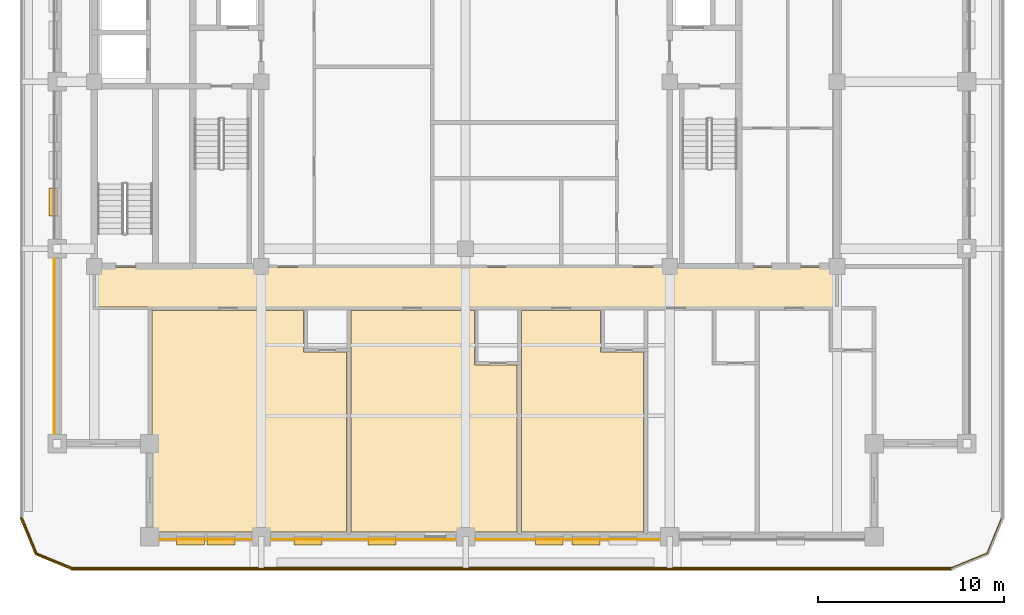
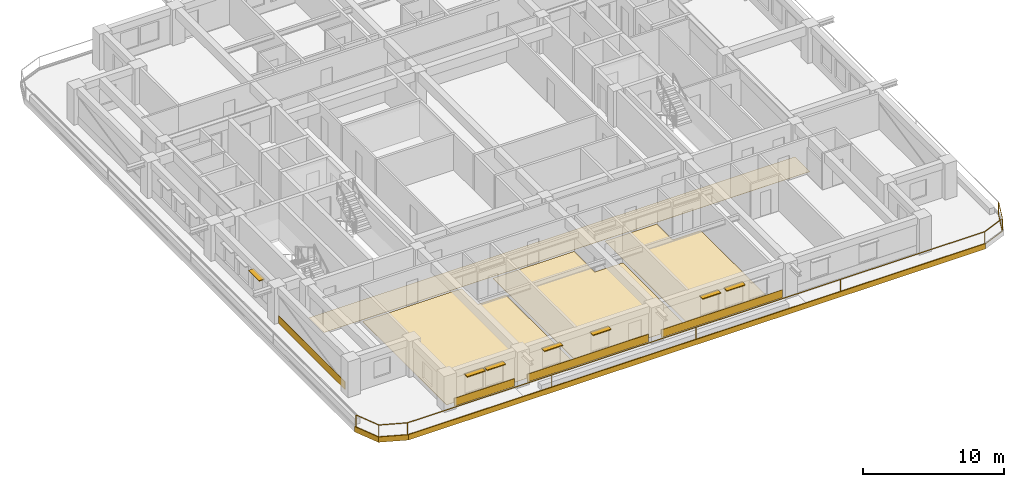
# One storey, part 9 of 15: 11 coverings, 7 shading devices, 1 railing.
"""IFC4 building model written with IfcOpenShell, lengths in metres."""

from ifc_helpers import new_model, si_unit, direction, frame, frame_2d, origin, origin_2d, place, context, subcontext, project, spatial, polyline, rectangle, outline, extrude, material, layer, layer_set, type_object, element, save


model = new_model("IFC4")

# Units and contexts
model_context = context("Model", 3, precision=1e-05, world=origin(), true_north=direction((0.0, 1.0)))
body_context = subcontext(model_context, "Body", "Model", "MODEL_VIEW")
ifc_project = project(units=[si_unit("LENGTHUNIT", "METRE"), si_unit("AREAUNIT", "SQUARE_METRE"), si_unit("VOLUMEUNIT", "CUBIC_METRE"), si_unit("PLANEANGLEUNIT", "RADIAN"), si_unit("MASSUNIT", "GRAM", prefix="KILO")], contexts=[model_context])

# Site, building, storey
site_placement = place(None, origin())
site = spatial("IfcSite", under=ifc_project, at=site_placement, CompositionType="ELEMENT")
building_placement = place(site_placement, origin())
building = spatial("IfcBuilding", under=site, at=building_placement, Name="Zulmaris Gate Convention Tower", CompositionType="ELEMENT")
storey_placement = place(building_placement, frame((0.0, 0.0, 172.85986328125)))
storey = spatial("IfcBuildingStorey", under=building, at=storey_placement, Name="L44", CompositionType="ELEMENT", Elevation=172.85986328125)

# Coverings
ifc_material_1 = material(Name="Precast concrete C40/50", Category="concrete")
ifc_layer_1 = layer(ifc_material_1, 0.0400390625, Name="Precast concrete C40/50")
ifc_layer_set_1 = layer_set([ifc_layer_1], Name="Precast concrete C40/50")
covering_type_1 = type_object("IfcCoveringType", Name="CLAD-SPANDREL-PRECAST", PredefinedType="CLADDING", material=ifc_layer_set_1)
covering_1_placement = place(storey_placement, frame((-16.469970703125, -24.64990234375, 0.0), z_axis=(0.0, 0.0, 1.0), x_axis=(1.0, 0.0, 0.0)))
element("IfcCovering", 1, at=covering_1_placement, inside=storey, type_object=covering_type_1, Name="CLD-L44-S-0_0", PredefinedType="CLADDING", context=body_context, shape_type="SweptSolid", body=[
    extrude(rectangle(XDim=4.93994140625, YDim=0.0400390625, at=frame_2d((2.469970703125, 0.0))), origin(), (0.0, 0.0, 1.0), 0.679931640625),
])
for number, where, z_axis, x_axis, name in (
    (2, (-10.469970703125, -24.64990234375, 0.0), (0.0, 0.0, 1.0), (1.0, 0.0, 0.0), "CLD-L44-S-1_0"),
    (3, (0.530029296875, -24.64990234375, 0.0), (0.0, 0.0, 1.0), (1.0, 0.0, 0.0), "CLD-L44-S-2_0"),
):
    element("IfcCovering", number, at=place(storey_placement, frame(where, z_axis=z_axis, x_axis=x_axis)), inside=storey, type_object=covering_type_1, Name=name, PredefinedType="CLADDING", context=body_context, shape_type="SweptSolid", body=[
        extrude(rectangle(XDim=9.93994140625, YDim=0.0400390625, at=frame_2d((4.969970703125, 0.0))), origin(), (0.0, 0.0, 1.0), 0.679931640625),
    ])
covering_2_placement = place(storey_placement, frame((-22.14990234375, -9.530029296875, 0.0), z_axis=(0.0, 0.0, 1.0), x_axis=(0.0, -1.0, 0.0)))
element("IfcCovering", 4, at=covering_2_placement, inside=storey, type_object=covering_type_1, Name="CLD-L44-W-0_0", PredefinedType="CLADDING", context=body_context, shape_type="SweptSolid", body=[
    extrude(rectangle(XDim=9.43994140625, YDim=0.0400390625, at=frame_2d((4.719970703125, 0.0))), origin(), (0.0, 0.0, 1.0), 0.679931640625),
])
ifc_material_2 = material(Name="White Glazed Architectural Precast Concrete C40/50", Category="concrete")
ifc_layer_2 = layer(ifc_material_2, 0.080078125, Name="White Glazed Architectural Precast Concrete C40/50")
ifc_layer_set_2 = layer_set([ifc_layer_2], Name="White Glazed Architectural Precast Concrete C40/50")
covering_type_2 = type_object("IfcCoveringType", Name="CLAD-TRAY-FASCIA", PredefinedType="CLADDING", material=ifc_layer_set_2)
covering_3_placement = place(storey_placement, frame((-23.962890625, -23.484619140625, -0.2900390625), z_axis=(0.0, 0.0, 1.0), x_axis=(0.382656984709, -0.923890487046, 0.0)))
element("IfcCovering", 5, at=covering_3_placement, inside=storey, type_object=covering_type_2, Name="FSC-L44-TR-00", PredefinedType="CLADDING", context=body_context, shape_type="SweptSolid", body=[
    extrude(rectangle(XDim=2.14306640625, YDim=0.080078125, at=frame_2d((1.071533203125, 0.0))), origin(), (0.0, 0.0, 1.0), 0.4599609375),
])
covering_4_placement = place(storey_placement, frame((-23.16455078125, -25.44287109375, -0.2900390625), z_axis=(0.0, 0.0, 1.0), x_axis=(0.923873803533, -0.382697263049, 0.0)))
element("IfcCovering", 6, at=covering_4_placement, inside=storey, type_object=covering_type_2, Name="FSC-L44-TR-01", PredefinedType="CLADDING", context=body_context, shape_type="SweptSolid", body=[
    extrude(rectangle(XDim=2.142822265625, YDim=0.080078125, at=frame_2d((1.0712890625, 0.0))), origin(), (0.0, 0.0, 1.0), 0.4599609375),
])
covering_5_placement = place(storey_placement, frame((-21.199951171875, -26.260009765625, -0.2900390625), z_axis=(0.0, 0.0, 1.0), x_axis=(1.0, 0.0, 0.0)))
element("IfcCovering", 7, at=covering_5_placement, inside=storey, type_object=covering_type_2, Name="FSC-L44-TR-02", PredefinedType="CLADDING", context=body_context, shape_type="SweptSolid", body=[
    extrude(rectangle(XDim=47.39990234375, YDim=0.080078125, at=frame_2d((23.699951171875, 0.0))), origin(), (0.0, 0.0, 1.0), 0.4599609375),
])
ifc_material_3 = material(Name="Woven Acoustic Wool Carpet Tile")
ifc_layer_3 = layer(ifc_material_3, 0.02001953125, Name="Woven Acoustic Wool Carpet Tile")
ifc_layer_set_3 = layer_set([ifc_layer_3], Name="Woven Acoustic Wool Carpet Tile")
covering_type_3 = type_object("IfcCoveringType", Name="FLR-CARPET-12", PredefinedType="FLOORING", material=ifc_layer_set_3)
covering_6_placement = place(storey_placement, origin())
element("IfcCovering", 8, at=covering_6_placement, inside=storey, type_object=covering_type_3, Name="FLR-L44-R32", PredefinedType="FLOORING", context=body_context, shape_type="SweptSolid", body=[
    extrude(outline(polyline([(-19.93994140625, -12.139892578125), (19.93994140625, -12.139892578125), (19.93994140625, -10.010009765625), (-19.93994140625, -10.010009765625), (-19.93994140625, -12.139892578125)])), origin(), (0.0, 0.0, 1.0), 0.02001953125),
])
ifc_material_4 = material(Name="Engineered Teak Parquet Flooring")
ifc_layer_4 = layer(ifc_material_4, 0.02001953125, Name="Engineered Teak Parquet Flooring")
ifc_layer_set_4 = layer_set([ifc_layer_4], Name="Engineered Teak Parquet Flooring")
covering_type_4 = type_object("IfcCoveringType", Name="FLR-TIMBER-18", PredefinedType="FLOORING", material=ifc_layer_set_4)
covering_7_placement = place(storey_placement, origin())
element("IfcCovering", 9, at=covering_7_placement, inside=storey, type_object=covering_type_4, Name="FLR-L44-R46", PredefinedType="FLOORING", context=body_context, shape_type="SweptSolid", body=[
    extrude(outline(polyline([(-16.8798828125, -24.260009765625), (-6.419921875, -24.260009765625), (-6.419921875, -14.570068359375), (-8.719970703125, -14.570068359375), (-8.719970703125, -12.320068359375), (-16.8798828125, -12.320068359375), (-16.8798828125, -24.260009765625)])), origin(), (0.0, 0.0, 1.0), 0.02001953125),
])
covering_8_placement = place(storey_placement, origin())
element("IfcCovering", 10, at=covering_8_placement, inside=storey, type_object=covering_type_4, Name="FLR-L44-R48", PredefinedType="FLOORING", context=body_context, shape_type="SweptSolid", body=[
    extrude(outline(polyline([(-6.179931640625, -24.260009765625), (2.780029296875, -24.260009765625), (2.780029296875, -15.27001953125), (0.47998046875, -15.27001953125), (0.47998046875, -12.320068359375), (-6.179931640625, -12.320068359375), (-6.179931640625, -24.260009765625)])), origin(), (0.0, 0.0, 1.0), 0.02001953125),
])
covering_9_placement = place(storey_placement, origin())
element("IfcCovering", 11, at=covering_9_placement, inside=storey, type_object=covering_type_4, Name="FLR-L44-R50", PredefinedType="FLOORING", context=body_context, shape_type="SweptSolid", body=[
    extrude(outline(polyline([(3.02001953125, -24.260009765625), (9.580078125, -24.260009765625), (9.580078125, -14.570068359375), (7.280029296875, -14.570068359375), (7.280029296875, -12.320068359375), (3.02001953125, -12.320068359375), (3.02001953125, -24.260009765625)])), origin(), (0.0, 0.0, 1.0), 0.02001953125),
])

# Railing
ifc_material_5 = material(Name="Laminated Glass and Stainless Steel", Category="steel")
railing_type = type_object("IfcRailingType", Name="RL-BALC-1150", PredefinedType="BALUSTRADE", material=ifc_material_5)
railing_placement = place(storey_placement, frame((-23.8798828125, -23.5, 0.010009765625)))
element("IfcRailing", 12, at=railing_placement, inside=storey, type_object=railing_type, Name="RL-L44-BALC-S", PredefinedType="BALUSTRADE", context=body_context, shape_type="SweptSolid", body=[
    extrude(rectangle(XDim=0.048095703125, YDim=0.048095703125, at=origin_2d()), frame((0.0, 0.0, 1.1259765625), z_axis=(0.382670664694, -0.92388482095, 0.0), x_axis=(0.92388482095, 0.382670664694, 0.0)), (0.0, 0.0, 1.0), 2.051025390625),
    extrude(rectangle(XDim=0.048095703125, YDim=0.048095703125, at=origin_2d()), frame((0.0, 0.0, 0.02392578125), z_axis=(0.382670664694, -0.92388482095, 0.0), x_axis=(0.92388482095, 0.382670664694, 0.0)), (0.0, 0.0, 1.0), 2.051025390625),
    extrude(rectangle(XDim=0.048095703125, YDim=0.048095703125, at=origin_2d()), frame((0.784912109375, -1.89501953125, 1.1259765625), z_axis=(0.92388482095, -0.382670664694, 0.0), x_axis=(0.382670664694, 0.92388482095, 0.0)), (0.0, 0.0, 1.0), 2.051025390625),
    extrude(rectangle(XDim=0.048095703125, YDim=0.048095703125, at=origin_2d()), frame((0.784912109375, -1.89501953125, 0.02392578125), z_axis=(0.92388482095, -0.382670664694, 0.0), x_axis=(0.382670664694, 0.92388482095, 0.0)), (0.0, 0.0, 1.0), 2.051025390625),
    extrude(rectangle(XDim=0.048095703125, YDim=0.048095703125, at=origin_2d()), frame((2.679931640625, -2.679931640625, 1.1259765625), z_axis=(1.0, 0.0, 0.0), x_axis=(0.0, 1.0, 0.0)), (0.0, 0.0, 1.0), 47.39990234375),
    extrude(rectangle(XDim=0.048095703125, YDim=0.048095703125, at=origin_2d()), frame((2.679931640625, -2.679931640625, 0.02392578125), z_axis=(1.0, 0.0, 0.0), x_axis=(0.0, 1.0, 0.0)), (0.0, 0.0, 1.0), 47.39990234375),
    extrude(rectangle(XDim=0.048095703125, YDim=0.048095703125, at=origin_2d()), frame((50.079833984375, -2.679931640625, 1.1259765625), z_axis=(0.92388482095, 0.382670664694, 0.0), x_axis=(-0.382670664694, 0.92388482095, 0.0)), (0.0, 0.0, 1.0), 2.051025390625),
    extrude(rectangle(XDim=0.048095703125, YDim=0.048095703125, at=origin_2d()), frame((50.079833984375, -2.679931640625, 0.02392578125), z_axis=(0.92388482095, 0.382670664694, 0.0), x_axis=(-0.382670664694, 0.92388482095, 0.0)), (0.0, 0.0, 1.0), 2.051025390625),
    extrude(rectangle(XDim=0.048095703125, YDim=0.048095703125, at=origin_2d()), frame((51.974853515625, -1.89501953125, 1.1259765625), z_axis=(0.382670664694, 0.92388482095, 0.0), x_axis=(-0.92388482095, 0.382670664694, 0.0)), (0.0, 0.0, 1.0), 2.051025390625),
    extrude(rectangle(XDim=0.048095703125, YDim=0.048095703125, at=origin_2d()), frame((51.974853515625, -1.89501953125, 0.02392578125), z_axis=(0.382670664694, 0.92388482095, 0.0), x_axis=(-0.92388482095, 0.382670664694, 0.0)), (0.0, 0.0, 1.0), 2.051025390625),
    extrude(rectangle(XDim=0.0419921875, YDim=0.0419921875, at=origin_2d()), origin(), (0.0, 0.0, 1.0), 1.101806640625),
    extrude(rectangle(XDim=0.0419921875, YDim=0.0419921875, at=origin_2d()), frame((0.784912109375, -1.89501953125, 0.0)), (0.0, 0.0, 1.0), 1.101806640625),
    extrude(rectangle(XDim=0.0419921875, YDim=0.0419921875, at=origin_2d()), frame((2.679931640625, -2.679931640625, 0.0)), (0.0, 0.0, 1.0), 1.101806640625),
    extrude(rectangle(XDim=0.0419921875, YDim=0.0419921875, at=origin_2d()), frame((14.52978515625, -2.679931640625, 0.0)), (0.0, 0.0, 1.0), 1.101806640625),
    extrude(rectangle(XDim=0.0419921875, YDim=0.0419921875, at=origin_2d()), frame((26.3798828125, -2.679931640625, 0.0)), (0.0, 0.0, 1.0), 1.101806640625),
    extrude(rectangle(XDim=0.0419921875, YDim=0.0419921875, at=origin_2d()), frame((38.22998046875, -2.679931640625, 0.0)), (0.0, 0.0, 1.0), 1.101806640625),
    extrude(rectangle(XDim=0.0419921875, YDim=0.0419921875, at=origin_2d()), frame((50.079833984375, -2.679931640625, 0.0)), (0.0, 0.0, 1.0), 1.101806640625),
    extrude(rectangle(XDim=0.0419921875, YDim=0.0419921875, at=origin_2d()), frame((51.974853515625, -1.89501953125, 0.0)), (0.0, 0.0, 1.0), 1.101806640625),
    extrude(rectangle(XDim=0.0419921875, YDim=0.0419921875, at=origin_2d()), frame((52.759765625, 0.0, 0.0)), (0.0, 0.0, 1.0), 1.101806640625),
])

# Shading devices
ifc_material_6 = material(Name="Glazed Ceramic Terracotta", Category="masonry")
ifc_layer_5 = layer(ifc_material_6, 0.070068359375, Name="Glazed Ceramic Terracotta")
ifc_layer_set_5 = layer_set([ifc_layer_5], Name="Glazed Ceramic Terracotta")
shading_device_type = type_object("IfcShadingDeviceType", Name="SHD-SUNSHADE-TC", PredefinedType="AWNING", material=ifc_layer_set_5)
for number, where, z_axis, x_axis, name in (
    (13, (-15.572998046875, -24.719970703125, 2.35009765625), (0.0, 0.0, 1.0), (1.0, 0.0, 0.0), "SHD-EW-L44-S-0_0-1"),
    (14, (-13.927001953125, -24.719970703125, 2.35009765625), (0.0, 0.0, 1.0), (1.0, 0.0, 0.0), "SHD-EW-L44-S-0_0-2"),
    (15, (-9.23193359375, -24.719970703125, 2.35009765625), (0.0, 0.0, 1.0), (1.0, 0.0, 0.0), "SHD-EW-L44-S-1_0-1"),
    (16, (-5.256103515625, -24.719970703125, 2.35009765625), (0.0, 0.0, 1.0), (1.0, 0.0, 0.0), "SHD-EW-L44-S-1_0-3"),
    (17, (3.756103515625, -24.719970703125, 2.35009765625), (0.0, 0.0, 1.0), (1.0, 0.0, 0.0), "SHD-EW-L44-S-2_0-2"),
    (18, (5.743896484375, -24.719970703125, 2.35009765625), (0.0, 0.0, 1.0), (1.0, 0.0, 0.0), "SHD-EW-L44-S-2_0-3"),
    (19, (-22.219970703125, -5.735107421875, 2.35009765625), (0.0, 0.0, 1.0), (0.0, -1.0, 0.0), "SHD-EW-L44-W-1_0-3"),
):
    element("IfcShadingDevice", number, at=place(storey_placement, frame(where, z_axis=z_axis, x_axis=x_axis)), inside=storey, type_object=shading_device_type, Name=name, PredefinedType="AWNING", context=body_context, shape_type="SweptSolid", body=[
        extrude(rectangle(XDim=1.5, YDim=0.43994140625, at=frame_2d((0.75, 0.0))), origin(), (0.0, 0.0, 1.0), 0.06982421875),
    ])

save(model, "model.ifc")
